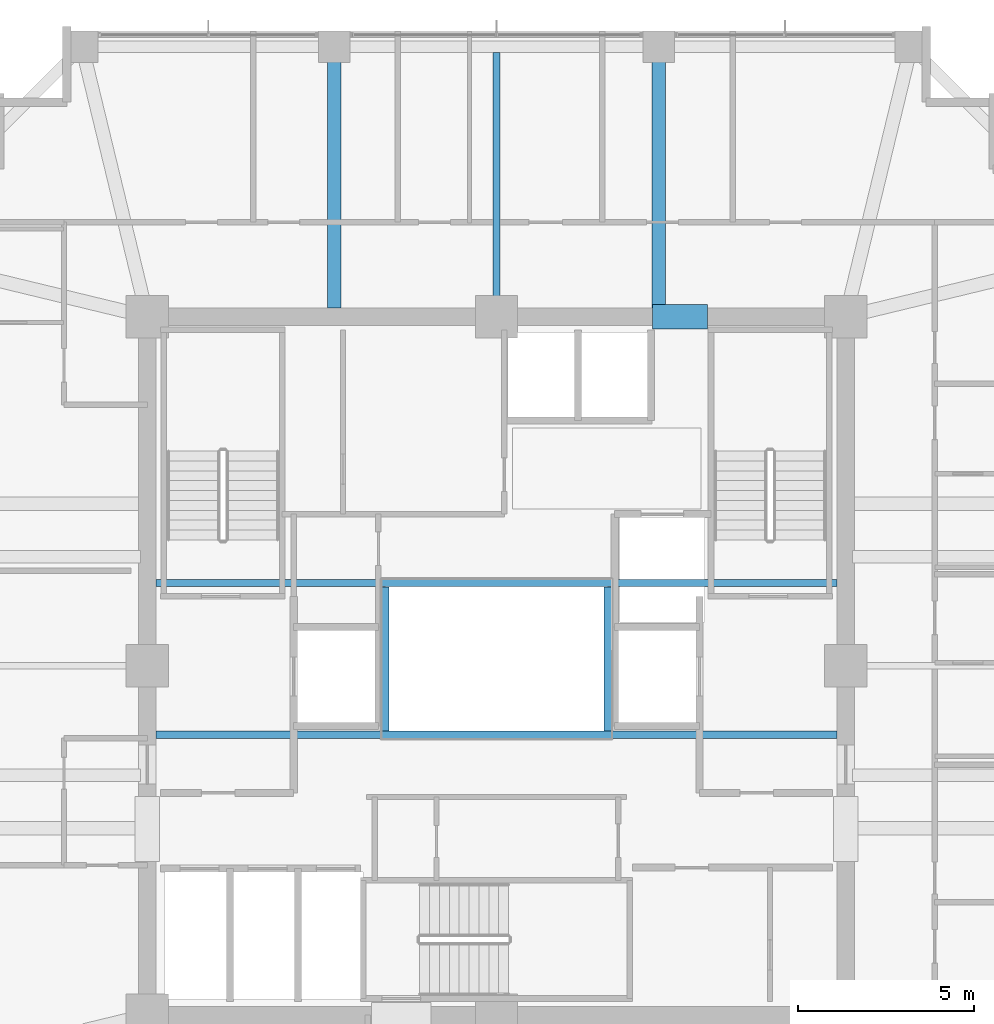
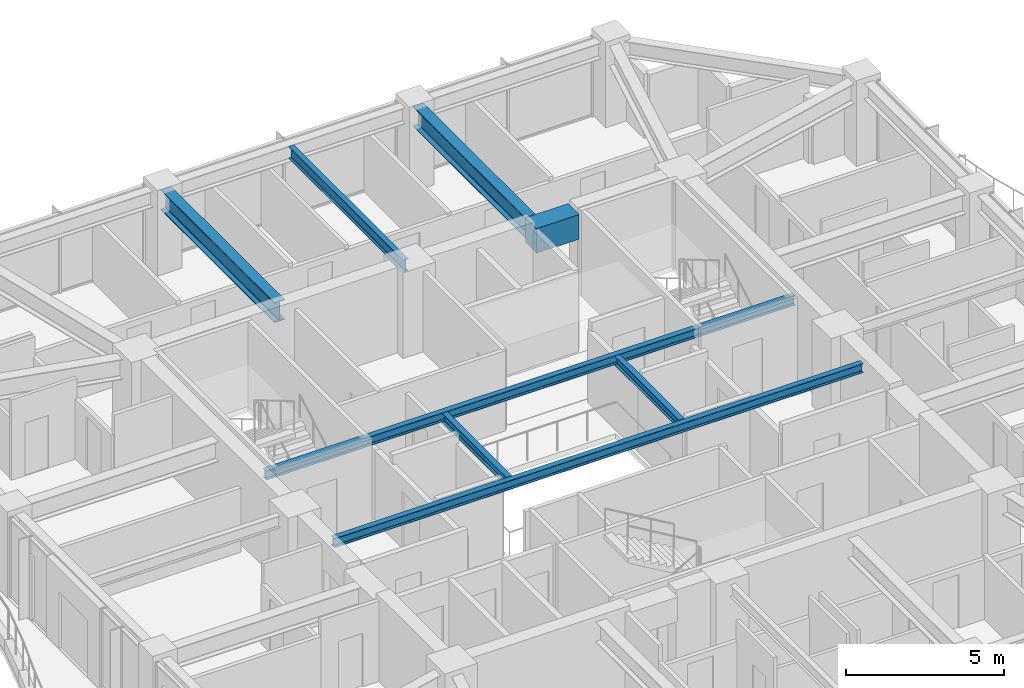
# One storey, part 11 of 33: 8 beams.
"""IFC4 building model written with IfcOpenShell, lengths in metres."""

from ifc_helpers import new_model, si_unit, direction, frame, origin, origin_2d, place, context, subcontext, project, spatial, rectangle, i_section, extrude, material, material_profile, profile_set, type_object, element, save


model = new_model("IFC4")

# Units and contexts
model_context = context("Model", 3, precision=1e-05, world=origin(), true_north=direction((0.0, 1.0)))
body_context = subcontext(model_context, "Body", "Model", "MODEL_VIEW")
ifc_project = project(units=[si_unit("LENGTHUNIT", "METRE"), si_unit("AREAUNIT", "SQUARE_METRE"), si_unit("VOLUMEUNIT", "CUBIC_METRE"), si_unit("PLANEANGLEUNIT", "RADIAN"), si_unit("MASSUNIT", "GRAM", prefix="KILO")], contexts=[model_context])

# Site, building, storey
site_placement = place(None, origin())
site = spatial("IfcSite", under=ifc_project, at=site_placement, CompositionType="ELEMENT")
building_placement = place(site_placement, origin())
building = spatial("IfcBuilding", under=site, at=building_placement, Name="Kolvaren Belvedere", CompositionType="ELEMENT")
storey_placement = place(building_placement, frame((0.0, 0.0, 128.300048828125)))
storey = spatial("IfcBuildingStorey", under=building, at=storey_placement, Name="L37", CompositionType="ELEMENT", Elevation=128.300048828125)

# Beams
ifc_material_1 = material(Name="Structural steel ASTM A992 Grade 50", Category="steel")
ifc_material_profile_1 = material_profile(ifc_material_1, i_section(OverallWidth=0.2041015625, OverallDepth=0.35009765625, WebThickness=0.008544921875, FlangeThickness=0.01513671875, FilletRadius=0.013916015625, at=origin_2d()), Name="W14X48")
ifc_profile_set_1 = profile_set([ifc_material_profile_1], Name="Structural steel ASTM A992 Grade 50")
beam_type_1 = type_object("IfcBeamType", Name="BM-ATRIUM-W14X48", PredefinedType="BEAM", material=ifc_profile_set_1)
for number, where, z_axis, x_axis, name in (
    (1, (-9.64990234375, -1.949951171875, 2.925048828125), (1.0, 0.0, 0.0), (0.0, 1.0, 0.0), "L37 Central Atrium South Girder AS"),
    (2, (-9.64990234375, 2.35009765625, 2.925048828125), (1.0, 0.0, 0.0), (0.0, 1.0, 0.0), "L37 Central Atrium North Girder AN"),
):
    element("IfcBeam", number, at=place(storey_placement, frame(where, z_axis=z_axis, x_axis=x_axis)), inside=storey, type_object=beam_type_1, Name=name, PredefinedType="BEAM", context=body_context, shape_type="SweptSolid", body=[
        extrude(i_section(OverallWidth=0.2041015625, OverallDepth=0.35009765625, WebThickness=0.008544921875, FlangeThickness=0.01513671875, FilletRadius=0.013916015625, at=origin_2d()), origin(), (0.0, 0.0, 1.0), 19.2998046875),
    ])
for number, where, z_axis, x_axis, name in (
    (3, (-3.14990234375, -1.840087890625, 2.925048828125), (0.0, 1.0, 0.0), (-1.0, 0.0, 0.0), "L37 Central Atrium West Edge Beam AW"),
    (4, (3.14990234375, -1.840087890625, 2.925048828125), (0.0, 1.0, 0.0), (-1.0, 0.0, 0.0), "L37 Central Atrium East Edge Beam AE"),
):
    element("IfcBeam", number, at=place(storey_placement, frame(where, z_axis=z_axis, x_axis=x_axis)), inside=storey, type_object=beam_type_1, Name=name, PredefinedType="BEAM", context=body_context, shape_type="SweptSolid", body=[
        extrude(i_section(OverallWidth=0.2041015625, OverallDepth=0.35009765625, WebThickness=0.008544921875, FlangeThickness=0.01513671875, FilletRadius=0.013916015625, at=origin_2d()), origin(), (0.0, 0.0, 1.0), 4.080078125),
    ])
ifc_material_2 = material(Name="Structural steel ASTM A992 Grade 50", Category="steel")
ifc_material_profile_2 = material_profile(ifc_material_2, i_section(OverallWidth=0.381103515625, OverallDepth=0.77294921875, WebThickness=0.0166015625, FlangeThickness=0.027099609375, FilletRadius=0.02392578125, at=origin_2d()), Name="W30X173")
ifc_profile_set_2 = profile_set([ifc_material_profile_2], Name="Structural steel ASTM A992 Grade 50")
beam_type_2 = type_object("IfcBeamType", Name="BM-GIRD-W30X173", PredefinedType="BEAM", material=ifc_profile_set_2)
for number, where, z_axis, x_axis, name in (
    (5, (4.60009765625, 10.14990234375, 2.71337890625), (0.0, 1.0, 0.0), (-1.0, 0.0, 0.0), "L37 North Radial Girder P"),
    (6, (-4.60009765625, 10.14990234375, 2.71337890625), (0.0, 1.0, 0.0), (-1.0, 0.0, 0.0), "L37 North Radial Girder M"),
):
    element("IfcBeam", number, at=place(storey_placement, frame(where, z_axis=z_axis, x_axis=x_axis)), inside=storey, type_object=beam_type_2, Name=name, PredefinedType="BEAM", context=body_context, shape_type="SweptSolid", body=[
        extrude(i_section(OverallWidth=0.381103515625, OverallDepth=0.77294921875, WebThickness=0.0166015625, FlangeThickness=0.027099609375, FilletRadius=0.02392578125, at=origin_2d()), origin(), (0.0, 0.0, 1.0), 7.197509765625),
    ])
ifc_material_3 = material(Name="Structural steel ASTM A992 Grade 50", Category="steel")
ifc_material_profile_3 = material_profile(ifc_material_3, i_section(OverallWidth=0.19091796875, OverallDepth=0.4599609375, WebThickness=0.010009765625, FlangeThickness=0.01611328125, FilletRadius=0.014892578125, at=origin_2d()), Name="W18X55")
ifc_profile_set_3 = profile_set([ifc_material_profile_3], Name="Structural steel ASTM A992 Grade 50")
beam_type_3 = type_object("IfcBeamType", Name="BM-JOIST-W18X55", PredefinedType="BEAM", material=ifc_profile_set_3)
beam_1_placement = place(storey_placement, frame((0.0, 10.14990234375, 2.869873046875), z_axis=(0.0, 1.0, 0.0), x_axis=(-1.0, 0.0, 0.0)))
element("IfcBeam", 7, at=beam_1_placement, inside=storey, type_object=beam_type_3, Name="L37 North Centre Floor Beam", PredefinedType="BEAM", context=body_context, shape_type="SweptSolid", body=[
    extrude(i_section(OverallWidth=0.19091796875, OverallDepth=0.4599609375, WebThickness=0.010009765625, FlangeThickness=0.01611328125, FilletRadius=0.014892578125, at=origin_2d()), origin(), (0.0, 0.0, 1.0), 7.237548828125),
])
ifc_material_4 = material(Name="Concrete C60/75", Category="concrete")
ifc_material_profile_4 = material_profile(ifc_material_4, rectangle(XDim=0.699951171875, YDim=0.949951171875, at=origin_2d()), Name="RC 700X950")
ifc_profile_set_4 = profile_set([ifc_material_profile_4], Name="Concrete C60/75")
beam_type_4 = type_object("IfcBeamType", Name="BM-LINT-950", PredefinedType="LINTEL", material=ifc_profile_set_4)
beam_2_placement = place(storey_placement, frame((4.419921875, 9.89990234375, 2.625), z_axis=(1.0, 0.0, 0.0), x_axis=(0.0, 1.0, 0.0)))
element("IfcBeam", 8, at=beam_2_placement, inside=storey, type_object=beam_type_4, Name="L37 North Core Coupling Lintel", PredefinedType="LINTEL", context=body_context, shape_type="SweptSolid", body=[
    extrude(rectangle(XDim=0.699951171875, YDim=0.949951171875, at=origin_2d()), origin(), (0.0, 0.0, 1.0), 1.56005859375),
])

save(model, "model.ifc")
